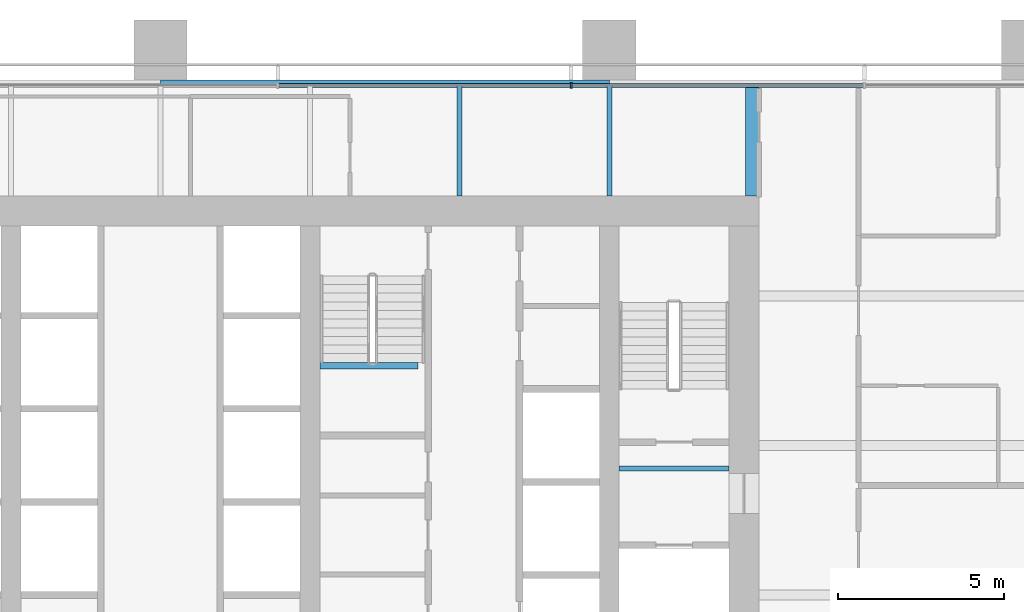
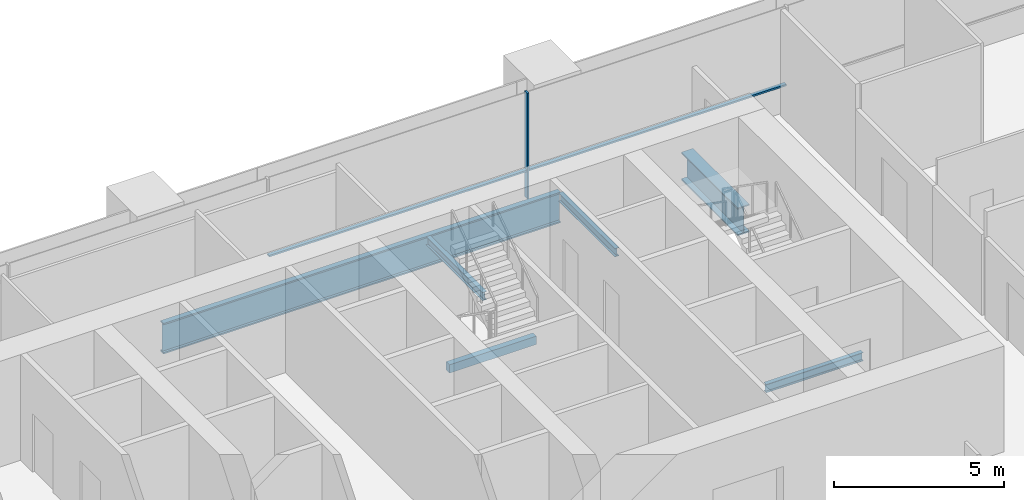
# One storey, part 9 of 19: 6 beams, 3 members, 1 element without a shape of its own.
"""IFC4 building model written with IfcOpenShell, lengths in metres."""

from ifc_helpers import new_model, si_unit, direction, frame, origin, origin_2d, place, context, subcontext, project, spatial, rectangle, i_section, extrude, material, material_profile, profile_set, type_object, element, aggregate, save


model = new_model("IFC4")

# Units and contexts
model_context = context("Model", 3, precision=1e-05, world=origin(), true_north=direction((0.0, 1.0)))
body_context = subcontext(model_context, "Body", "Model", "MODEL_VIEW")
ifc_project = project(units=[si_unit("LENGTHUNIT", "METRE"), si_unit("AREAUNIT", "SQUARE_METRE"), si_unit("VOLUMEUNIT", "CUBIC_METRE"), si_unit("PLANEANGLEUNIT", "RADIAN"), si_unit("MASSUNIT", "GRAM", prefix="KILO")], contexts=[model_context])

# Site, building, storey
site_placement = place(None, origin())
site = spatial("IfcSite", under=ifc_project, at=site_placement, CompositionType="ELEMENT")
building_placement = place(site_placement, origin())
building = spatial("IfcBuilding", under=site, at=building_placement, Name="Rattan Terrace Tower", CompositionType="ELEMENT")
storey_placement = place(building_placement, frame((0.0, 0.0, 111.699951171875)))
storey = spatial("IfcBuildingStorey", under=building, at=storey_placement, Name="L25", CompositionType="ELEMENT", Elevation=111.699951171875)

# Beam
ifc_material_1 = material(Name="Concrete C40/50", Category="concrete")
ifc_material_profile_1 = material_profile(ifc_material_1, rectangle(XDim=0.199951171875, YDim=0.300048828125, at=origin_2d()), Name="RC 200x300")
ifc_profile_set_1 = profile_set([ifc_material_profile_1], Name="Concrete C40/50")
beam_type_1 = type_object("IfcBeamType", Name="Core landing beam RC 200x300", PredefinedType="BEAM", material=ifc_profile_set_1)
beam_1_placement = place(storey_placement, frame((4.800048828125, 2.39990234375, 1.650146484375), z_axis=(1.0, 0.0, 0.0), x_axis=(0.0, 1.0, 0.0)))
element("IfcBeam", 1, at=beam_1_placement, inside=storey, type_object=beam_type_1, Name="st-S3-L25 landing 1 edge beam", PredefinedType="BEAM", context=body_context, shape_type="SweptSolid", body=[
    extrude(rectangle(XDim=0.199951171875, YDim=0.300048828125, at=origin_2d()), origin(), (0.0, 0.0, 1.0), 2.949951171875),
])

# Curtain wall, members
ifc_material_2 = material(Name="Aluminium and glass", Category="aluminium")
curtain_wall_type = type_object("IfcCurtainWallType", Name="Facade Unitised Curtain Wall", PredefinedType="NOTDEFINED", material=ifc_material_2)
curtain_wall_placement = place(storey_placement, origin())
curtain_wall = element("IfcCurtainWall", 2, at=curtain_wall_placement, inside=storey, type_object=curtain_wall_type, Name="Curtain wall L25-2", PredefinedType="NOTDEFINED")
ifc_material_3 = material(Name="Aluminium", Category="aluminium")
ifc_material_profile_2 = material_profile(ifc_material_3, rectangle(XDim=0.06005859375, YDim=0.159912109375, at=origin_2d()), Name="Aluminium 60x160")
ifc_profile_set_2 = profile_set([ifc_material_profile_2], Name="Aluminium")
member_type_1 = type_object("IfcMemberType", Name="Facade CW Mullion 60x160", PredefinedType="MULLION", material=ifc_profile_set_2)
member_1_placement = place(storey_placement, frame((12.35400390625, 10.830078125, 0.0), z_axis=(0.0, 0.0, 1.0), x_axis=(-1.0, 0.0, 0.0)))
member_1 = element("IfcMember", 3, at=member_1_placement, type_object=member_type_1, Name="Mullion cwl-L25-002.3", PredefinedType="MULLION", context=body_context, shape_type="SweptSolid", body=[
    extrude(rectangle(XDim=0.06005859375, YDim=0.159912109375, at=origin_2d()), origin(), (0.0, 0.0, 1.0), 3.800048828125),
])
ifc_material_4 = material(Name="Aluminium", Category="aluminium")
ifc_material_profile_3 = material_profile(ifc_material_4, rectangle(XDim=0.1201171875, YDim=0.06005859375, at=origin_2d()), Name="Aluminium 120x60")
ifc_profile_set_3 = profile_set([ifc_material_profile_3], Name="Aluminium")
member_type_2 = type_object("IfcMemberType", Name="Facade CW Transom 120x60", PredefinedType="USERDEFINED", material=ifc_profile_set_3)
member_2_placement = place(storey_placement, frame((21.14697265625, 10.830078125, 1.0), z_axis=(-1.0, 0.0, 0.0), x_axis=(0.0, -1.0, 0.0)))
member_2 = element("IfcMember", 4, at=member_2_placement, type_object=member_type_2, Name="Transom cwl-L25-002.2", ObjectType="TRANSOM", PredefinedType="USERDEFINED", context=body_context, shape_type="SweptSolid", body=[
    extrude(rectangle(XDim=0.1201171875, YDim=0.06005859375, at=origin_2d()), origin(), (0.0, 0.0, 1.0), 8.762939453125),
])
member_3_placement = place(storey_placement, frame((12.323974609375, 10.830078125, 1.0), z_axis=(-1.0, 0.0, 0.0), x_axis=(0.0, -1.0, 0.0)))
member_3 = element("IfcMember", 5, at=member_3_placement, type_object=member_type_2, Name="Transom cwl-L25-002.3", ObjectType="TRANSOM", PredefinedType="USERDEFINED", context=body_context, shape_type="SweptSolid", body=[
    extrude(rectangle(XDim=0.1201171875, YDim=0.06005859375, at=origin_2d()), origin(), (0.0, 0.0, 1.0), 8.762939453125),
])
aggregate(curtain_wall, [member_1, member_2, member_3])

# Beams
ifc_material_5 = material(Name="Steel S460", Category="steel")
ifc_material_profile_4 = material_profile(ifc_material_5, i_section(OverallWidth=0.39990234375, OverallDepth=1.0, WebThickness=0.01806640625, FlangeThickness=0.044921875, at=origin_2d()), Name="PG 1000x400-18-45")
ifc_profile_set_4 = profile_set([ifc_material_profile_4], Name="Steel S460")
beam_type_2 = type_object("IfcBeamType", Name="Frame core girder PG 1000x400-18-45", PredefinedType="BEAM", material=ifc_profile_set_4)
beam_2_placement = place(storey_placement, frame((17.800048828125, 7.5, -0.699951171875), z_axis=(0.0, 1.0, 0.0), x_axis=(-1.0, 0.0, 0.0)))
element("IfcBeam", 6, at=beam_2_placement, inside=storey, type_object=beam_type_2, Name="gdr-L25-010", PredefinedType="BEAM", context=body_context, shape_type="SweptSolid", body=[
    extrude(i_section(OverallWidth=0.39990234375, OverallDepth=1.0, WebThickness=0.01806640625, FlangeThickness=0.044921875, at=origin_2d()), origin(), (0.0, 0.0, 1.0), 3.320068359375),
])
ifc_material_6 = material(Name="Steel S460", Category="steel")
ifc_material_profile_5 = material_profile(ifc_material_6, i_section(OverallWidth=0.179931640625, OverallDepth=1.10009765625, WebThickness=0.01611328125, FlangeThickness=0.050048828125, at=origin_2d()), Name="PG 1100x180-16-50")
ifc_profile_set_5 = profile_set([ifc_material_profile_5], Name="Steel S460")
beam_type_3 = type_object("IfcBeamType", Name="Frame edge girder PG 1100x180-16-50", PredefinedType="SPANDREL", material=ifc_profile_set_5)
beam_3_placement = place(storey_placement, frame((13.5, 10.909912109375, -0.75), z_axis=(-1.0, 0.0, 0.0), x_axis=(0.0, -1.0, 0.0)))
element("IfcBeam", 7, at=beam_3_placement, inside=storey, type_object=beam_type_3, Name="gdr-L25-007", PredefinedType="SPANDREL", context=body_context, shape_type="SweptSolid", body=[
    extrude(i_section(OverallWidth=0.179931640625, OverallDepth=1.10009765625, WebThickness=0.01611328125, FlangeThickness=0.050048828125, at=origin_2d()), origin(), (0.0, 0.0, 1.0), 13.5),
])
ifc_material_7 = material(Name="Steel S355", Category="steel")
ifc_material_profile_6 = material_profile(ifc_material_7, i_section(OverallWidth=0.14990234375, OverallDepth=0.300048828125, WebThickness=0.007080078125, FlangeThickness=0.0107421875, FilletRadius=0.014892578125, at=origin_2d()), Name="IPE 300")
ifc_profile_set_6 = profile_set([ifc_material_profile_6], Name="Steel S355")
beam_type_4 = type_object("IfcBeamType", Name="Frame floor beam IPE 300", PredefinedType="JOIST", material=ifc_profile_set_6)
beam_4_placement = place(storey_placement, frame((13.800048828125, -0.695068359375, -0.349853515625), z_axis=(1.0, 0.0, 0.0), x_axis=(0.0, 1.0, 0.0)))
element("IfcBeam", 8, at=beam_4_placement, inside=storey, type_object=beam_type_4, Name="bm-L25-002", PredefinedType="JOIST", context=body_context, shape_type="SweptSolid", body=[
    extrude(i_section(OverallWidth=0.14990234375, OverallDepth=0.300048828125, WebThickness=0.007080078125, FlangeThickness=0.0107421875, FilletRadius=0.014892578125, at=origin_2d()), origin(), (0.0, 0.0, 1.0), 3.300048828125),
])
for number, where, z_axis, x_axis, name in (
    (9, (9.0, 7.5, -0.349853515625), (0.0, 1.0, 0.0), (-1.0, 0.0, 0.0), "bm-L25-023"),
    (10, (13.5, 7.5, -0.349853515625), (0.0, 1.0, 0.0), (-1.0, 0.0, 0.0), "bm-L25-024"),
):
    element("IfcBeam", number, at=place(storey_placement, frame(where, z_axis=z_axis, x_axis=x_axis)), inside=storey, type_object=beam_type_4, Name=name, PredefinedType="JOIST", context=body_context, shape_type="SweptSolid", body=[
        extrude(i_section(OverallWidth=0.14990234375, OverallDepth=0.300048828125, WebThickness=0.007080078125, FlangeThickness=0.0107421875, FilletRadius=0.014892578125, at=origin_2d()), origin(), (0.0, 0.0, 1.0), 3.320068359375),
    ])

save(model, "model.ifc")
